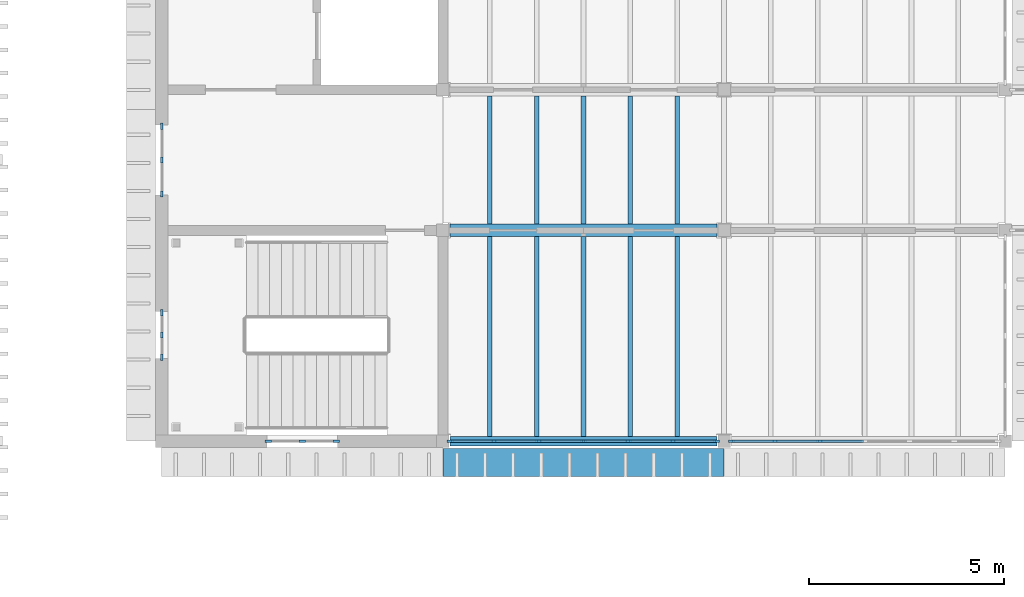
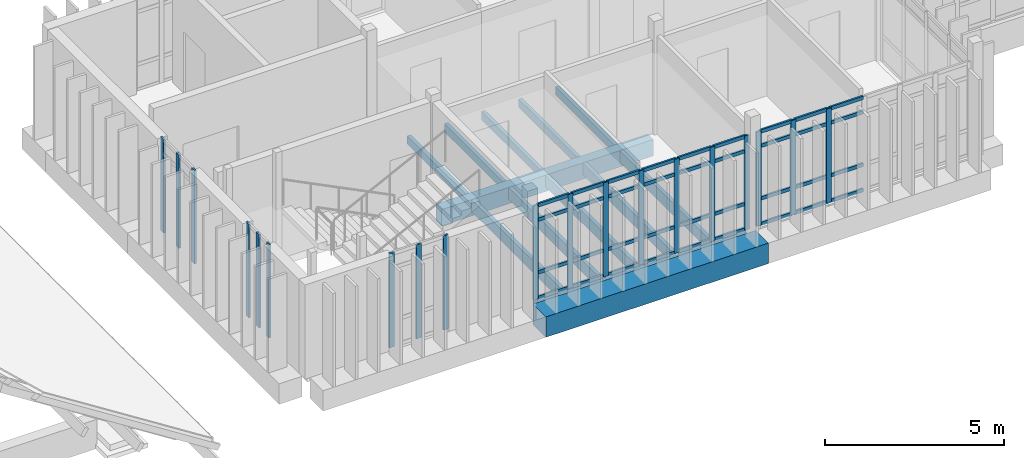
# One storey, part 10 of 71: 56 members, 12 beams, 5 elements without a shape of their own.
"""IFC4 building model written with IfcOpenShell, lengths in metres."""

from ifc_helpers import new_model, si_unit, direction, frame, origin, origin_2d, place, context, subcontext, project, spatial, rectangle, extrude, material, layer, layer_set, material_profile, profile_set, type_object, element, aggregate, save


model = new_model("IFC4")

# Units and contexts
model_context = context("Model", 3, precision=1e-05, world=origin(), true_north=direction((0.0, 1.0)))
body_context = subcontext(model_context, "Body", "Model", "MODEL_VIEW")
ifc_project = project(units=[si_unit("LENGTHUNIT", "METRE"), si_unit("AREAUNIT", "SQUARE_METRE"), si_unit("VOLUMEUNIT", "CUBIC_METRE"), si_unit("PLANEANGLEUNIT", "RADIAN"), si_unit("MASSUNIT", "GRAM", prefix="KILO")], contexts=[model_context])

# Site, building, storey
site_placement = place(None, origin())
site = spatial("IfcSite", under=ifc_project, at=site_placement, CompositionType="ELEMENT")
building_placement = place(site_placement, origin())
building = spatial("IfcBuilding", under=site, at=building_placement, Name="Mazhai Court Health Centre", CompositionType="ELEMENT")
storey_placement = place(building_placement, frame((0.0, 0.0, 10.199951171875)))
storey = spatial("IfcBuildingStorey", under=building, at=storey_placement, Name="L02", CompositionType="ELEMENT", Elevation=10.199951171875)

# Curtain wall, members
ifc_material_1 = material(Name="Teak timber frame, glazed", Category="wood")
ifc_layer_1 = layer(ifc_material_1, 0.10009765625)
ifc_layer_set_1 = layer_set([ifc_layer_1], Name="CURTAIN WALL TIMBER 900")
curtain_wall_type_1 = type_object("IfcCurtainWallType", Name="CURTAIN WALL TIMBER 900", PredefinedType="NOTDEFINED", material=ifc_layer_set_1)
curtain_wall_1_placement = place(storey_placement, origin())
curtain_wall_1 = element("IfcCurtainWall", 1, at=curtain_wall_1_placement, inside=storey, type_object=curtain_wall_type_1, Name="CW-V4-L02-A0", PredefinedType="NOTDEFINED")
ifc_material_2 = material(Name="Teak timber", Category="wood")
ifc_material_profile_1 = material_profile(ifc_material_2, rectangle(XDim=0.06005859375, YDim=0.159912109375, at=origin_2d()), Name="CW MULLION 60x160")
ifc_profile_set_1 = profile_set([ifc_material_profile_1], Name="Teak timber")
member_type_1 = type_object("IfcMemberType", Name="CW MULLION 60x160", PredefinedType="MULLION", material=ifc_profile_set_1)
member_1_placement = place(storey_placement, frame((75.469970703125, 13.39990234375, 0.0), z_axis=(0.0, 0.0, 1.0), x_axis=(0.0, -1.0, 0.0)))
member_1 = element("IfcMember", 2, at=member_1_placement, type_object=member_type_1, Name="CW mullion 1", PredefinedType="MULLION", context=body_context, shape_type="SweptSolid", body=[
    extrude(rectangle(XDim=0.06005859375, YDim=0.159912109375, at=origin_2d()), origin(), (0.0, 0.0, 1.0), 3.219970703125),
])
member_2_placement = place(storey_placement, frame((74.60009765625, 13.39990234375, 0.0), z_axis=(0.0, 0.0, 1.0), x_axis=(0.0, -1.0, 0.0)))
member_2 = element("IfcMember", 3, at=member_2_placement, type_object=member_type_1, Name="CW mullion 2", PredefinedType="MULLION", context=body_context, shape_type="SweptSolid", body=[
    extrude(rectangle(XDim=0.06005859375, YDim=0.159912109375, at=origin_2d()), origin(), (0.0, 0.0, 1.0), 3.219970703125),
])
member_3_placement = place(storey_placement, frame((73.72998046875, 13.39990234375, 0.0), z_axis=(0.0, 0.0, 1.0), x_axis=(0.0, -1.0, 0.0)))
member_3 = element("IfcMember", 4, at=member_3_placement, type_object=member_type_1, Name="CW mullion 3", PredefinedType="MULLION", context=body_context, shape_type="SweptSolid", body=[
    extrude(rectangle(XDim=0.06005859375, YDim=0.159912109375, at=origin_2d()), origin(), (0.0, 0.0, 1.0), 3.219970703125),
])
aggregate(curtain_wall_1, [member_1, member_2, member_3])

ifc_material_3 = material(Name="Teak timber frame, glazed", Category="wood")
ifc_layer_2 = layer(ifc_material_3, 0.10009765625)
ifc_layer_set_2 = layer_set([ifc_layer_2], Name="CURTAIN WALL TIMBER 600")
curtain_wall_type_2 = type_object("IfcCurtainWallType", Name="CURTAIN WALL TIMBER 600", PredefinedType="NOTDEFINED", material=ifc_layer_set_2)
curtain_wall_2_placement = place(storey_placement, origin())
curtain_wall_2 = element("IfcCurtainWall", 5, at=curtain_wall_2_placement, inside=storey, type_object=curtain_wall_type_2, Name="CW-V4-L02-SSTAIR0", PredefinedType="NOTDEFINED")
member_4_placement = place(storey_placement, frame((71.0, 15.550048828125, 0.0), z_axis=(0.0, 0.0, 1.0), x_axis=(-1.0, 0.0, 0.0)))
member_4 = element("IfcMember", 6, at=member_4_placement, type_object=member_type_1, Name="CW mullion 1", PredefinedType="MULLION", context=body_context, shape_type="SweptSolid", body=[
    extrude(rectangle(XDim=0.06005859375, YDim=0.159912109375, at=origin_2d()), origin(), (0.0, 0.0, 1.0), 3.199951171875),
])
member_5_placement = place(storey_placement, frame((71.0, 16.1201171875, 0.0), z_axis=(0.0, 0.0, 1.0), x_axis=(-1.0, 0.0, 0.0)))
member_5 = element("IfcMember", 7, at=member_5_placement, type_object=member_type_1, Name="CW mullion 2", PredefinedType="MULLION", context=body_context, shape_type="SweptSolid", body=[
    extrude(rectangle(XDim=0.06005859375, YDim=0.159912109375, at=origin_2d()), origin(), (0.0, 0.0, 1.0), 3.199951171875),
])
member_6_placement = place(storey_placement, frame((71.0, 16.68994140625, 0.0), z_axis=(0.0, 0.0, 1.0), x_axis=(-1.0, 0.0, 0.0)))
member_6 = element("IfcMember", 8, at=member_6_placement, type_object=member_type_1, Name="CW mullion 3", PredefinedType="MULLION", context=body_context, shape_type="SweptSolid", body=[
    extrude(rectangle(XDim=0.06005859375, YDim=0.159912109375, at=origin_2d()), origin(), (0.0, 0.0, 1.0), 3.199951171875),
])
aggregate(curtain_wall_2, [member_4, member_5, member_6])

curtain_wall_3_placement = place(storey_placement, origin())
curtain_wall_3 = element("IfcCurtainWall", 9, at=curtain_wall_3_placement, inside=storey, type_object=curtain_wall_type_1, Name="CW-V4-L02-SLIFT1", PredefinedType="NOTDEFINED")
member_7_placement = place(storey_placement, frame((71.0, 19.72998046875, 0.0), z_axis=(0.0, 0.0, 1.0), x_axis=(-1.0, 0.0, 0.0)))
member_7 = element("IfcMember", 10, at=member_7_placement, type_object=member_type_1, Name="CW mullion 1", PredefinedType="MULLION", context=body_context, shape_type="SweptSolid", body=[
    extrude(rectangle(XDim=0.06005859375, YDim=0.159912109375, at=origin_2d()), origin(), (0.0, 0.0, 1.0), 3.199951171875),
])
member_8_placement = place(storey_placement, frame((71.0, 20.60009765625, 0.0), z_axis=(0.0, 0.0, 1.0), x_axis=(-1.0, 0.0, 0.0)))
member_8 = element("IfcMember", 11, at=member_8_placement, type_object=member_type_1, Name="CW mullion 2", PredefinedType="MULLION", context=body_context, shape_type="SweptSolid", body=[
    extrude(rectangle(XDim=0.06005859375, YDim=0.159912109375, at=origin_2d()), origin(), (0.0, 0.0, 1.0), 3.199951171875),
])
member_9_placement = place(storey_placement, frame((71.0, 21.469970703125, 0.0), z_axis=(0.0, 0.0, 1.0), x_axis=(-1.0, 0.0, 0.0)))
member_9 = element("IfcMember", 12, at=member_9_placement, type_object=member_type_1, Name="CW mullion 3", PredefinedType="MULLION", context=body_context, shape_type="SweptSolid", body=[
    extrude(rectangle(XDim=0.06005859375, YDim=0.159912109375, at=origin_2d()), origin(), (0.0, 0.0, 1.0), 3.199951171875),
])
aggregate(curtain_wall_3, [member_7, member_8, member_9])

ifc_material_4 = material(Name="Teak timber frame, glazed", Category="wood")
ifc_layer_3 = layer(ifc_material_4, 0.10009765625)
ifc_layer_set_3 = layer_set([ifc_layer_3], Name="CURTAIN WALL TIMBER 1200")
curtain_wall_type_3 = type_object("IfcCurtainWallType", Name="CURTAIN WALL TIMBER 1200", PredefinedType="NOTDEFINED", material=ifc_layer_set_3)
curtain_wall_4_placement = place(storey_placement, origin())
curtain_wall_4 = element("IfcCurtainWall", 13, at=curtain_wall_4_placement, inside=storey, type_object=curtain_wall_type_3, Name="CW-V4-L02-A1", PredefinedType="NOTDEFINED")
member_10_placement = place(storey_placement, frame((85.2099609375, 13.39990234375, 0.0), z_axis=(0.0, 0.0, 1.0), x_axis=(0.0, -1.0, 0.0)))
member_10 = element("IfcMember", 14, at=member_10_placement, type_object=member_type_1, Name="CW mullion 1", PredefinedType="MULLION", context=body_context, shape_type="SweptSolid", body=[
    extrude(rectangle(XDim=0.06005859375, YDim=0.159912109375, at=origin_2d()), origin(), (0.0, 0.0, 1.0), 3.219970703125),
])
member_11_placement = place(storey_placement, frame((84.09326171875, 13.39990234375, 0.0), z_axis=(0.0, 0.0, 1.0), x_axis=(0.0, -1.0, 0.0)))
member_11 = element("IfcMember", 15, at=member_11_placement, type_object=member_type_1, Name="CW mullion 2", PredefinedType="MULLION", context=body_context, shape_type="SweptSolid", body=[
    extrude(rectangle(XDim=0.06005859375, YDim=0.159912109375, at=origin_2d()), origin(), (0.0, 0.0, 1.0), 3.219970703125),
])
member_12_placement = place(storey_placement, frame((82.94677734375, 13.39990234375, 0.0), z_axis=(0.0, 0.0, 1.0), x_axis=(0.0, -1.0, 0.0)))
member_12 = element("IfcMember", 16, at=member_12_placement, type_object=member_type_1, Name="CW mullion 3", PredefinedType="MULLION", context=body_context, shape_type="SweptSolid", body=[
    extrude(rectangle(XDim=0.06005859375, YDim=0.159912109375, at=origin_2d()), origin(), (0.0, 0.0, 1.0), 3.219970703125),
])
member_13_placement = place(storey_placement, frame((81.800048828125, 13.39990234375, 0.0), z_axis=(0.0, 0.0, 1.0), x_axis=(0.0, -1.0, 0.0)))
member_13 = element("IfcMember", 17, at=member_13_placement, type_object=member_type_1, Name="CW mullion 4", PredefinedType="MULLION", context=body_context, shape_type="SweptSolid", body=[
    extrude(rectangle(XDim=0.06005859375, YDim=0.159912109375, at=origin_2d()), origin(), (0.0, 0.0, 1.0), 3.219970703125),
])
member_14_placement = place(storey_placement, frame((80.6533203125, 13.39990234375, 0.0), z_axis=(0.0, 0.0, 1.0), x_axis=(0.0, -1.0, 0.0)))
member_14 = element("IfcMember", 18, at=member_14_placement, type_object=member_type_1, Name="CW mullion 5", PredefinedType="MULLION", context=body_context, shape_type="SweptSolid", body=[
    extrude(rectangle(XDim=0.06005859375, YDim=0.159912109375, at=origin_2d()), origin(), (0.0, 0.0, 1.0), 3.219970703125),
])
member_15_placement = place(storey_placement, frame((79.506591796875, 13.39990234375, 0.0), z_axis=(0.0, 0.0, 1.0), x_axis=(0.0, -1.0, 0.0)))
member_15 = element("IfcMember", 19, at=member_15_placement, type_object=member_type_1, Name="CW mullion 6", PredefinedType="MULLION", context=body_context, shape_type="SweptSolid", body=[
    extrude(rectangle(XDim=0.06005859375, YDim=0.159912109375, at=origin_2d()), origin(), (0.0, 0.0, 1.0), 3.219970703125),
])
member_16_placement = place(storey_placement, frame((78.389892578125, 13.39990234375, 0.0), z_axis=(0.0, 0.0, 1.0), x_axis=(0.0, -1.0, 0.0)))
member_16 = element("IfcMember", 20, at=member_16_placement, type_object=member_type_1, Name="CW mullion 7", PredefinedType="MULLION", context=body_context, shape_type="SweptSolid", body=[
    extrude(rectangle(XDim=0.06005859375, YDim=0.159912109375, at=origin_2d()), origin(), (0.0, 0.0, 1.0), 3.219970703125),
])

curtain_wall_5_placement = place(storey_placement, origin())
curtain_wall_5 = element("IfcCurtainWall", 21, at=curtain_wall_5_placement, inside=storey, type_object=curtain_wall_type_3, Name="CW-V4-L02-A2", PredefinedType="NOTDEFINED")
member_17_placement = place(storey_placement, frame((87.853271484375, 13.39990234375, 0.0), z_axis=(0.0, 0.0, 1.0), x_axis=(0.0, -1.0, 0.0)))
member_17 = element("IfcMember", 22, at=member_17_placement, type_object=member_type_1, Name="CW mullion 5", PredefinedType="MULLION", context=body_context, shape_type="SweptSolid", body=[
    extrude(rectangle(XDim=0.06005859375, YDim=0.159912109375, at=origin_2d()), origin(), (0.0, 0.0, 1.0), 3.219970703125),
])
member_18_placement = place(storey_placement, frame((86.706787109375, 13.39990234375, 0.0), z_axis=(0.0, 0.0, 1.0), x_axis=(0.0, -1.0, 0.0)))
member_18 = element("IfcMember", 23, at=member_18_placement, type_object=member_type_1, Name="CW mullion 6", PredefinedType="MULLION", context=body_context, shape_type="SweptSolid", body=[
    extrude(rectangle(XDim=0.06005859375, YDim=0.159912109375, at=origin_2d()), origin(), (0.0, 0.0, 1.0), 3.219970703125),
])
member_19_placement = place(storey_placement, frame((85.590087890625, 13.39990234375, 0.0), z_axis=(0.0, 0.0, 1.0), x_axis=(0.0, -1.0, 0.0)))
member_19 = element("IfcMember", 24, at=member_19_placement, type_object=member_type_1, Name="CW mullion 7", PredefinedType="MULLION", context=body_context, shape_type="SweptSolid", body=[
    extrude(rectangle(XDim=0.06005859375, YDim=0.159912109375, at=origin_2d()), origin(), (0.0, 0.0, 1.0), 3.219970703125),
])

# Member
ifc_material_5 = material(Name="Teak timber", Category="wood")
ifc_material_profile_2 = material_profile(ifc_material_5, rectangle(XDim=0.06005859375, YDim=0.1201171875, at=origin_2d()), Name="CW TRANSOM 60x120")
ifc_profile_set_2 = profile_set([ifc_material_profile_2], Name="Teak timber")
member_type_2 = type_object("IfcMemberType", Name="CW TRANSOM 60x120", PredefinedType="USERDEFINED", material=ifc_profile_set_2)
member_20_placement = place(storey_placement, frame((85.179931640625, 13.39990234375, 0.030029296875), z_axis=(-1.0, 0.0, 0.0), x_axis=(0.0, -1.0, 0.0)))
member_20 = element("IfcMember", 25, at=member_20_placement, type_object=member_type_2, Name="CW transom 1.1", ObjectType="TRANSOM", PredefinedType="USERDEFINED", context=body_context, shape_type="SweptSolid", body=[
    extrude(rectangle(XDim=0.06005859375, YDim=0.1201171875, at=origin_2d()), origin(), (0.0, 0.0, 1.0), 1.056640625),
])

member_21_placement = place(storey_placement, frame((85.179931640625, 13.39990234375, 0.900146484375), z_axis=(-1.0, 0.0, 0.0), x_axis=(0.0, -1.0, 0.0)))
member_21 = element("IfcMember", 26, at=member_21_placement, type_object=member_type_2, Name="CW transom 1.2", ObjectType="TRANSOM", PredefinedType="USERDEFINED", context=body_context, shape_type="SweptSolid", body=[
    extrude(rectangle(XDim=0.06005859375, YDim=0.1201171875, at=origin_2d()), origin(), (0.0, 0.0, 1.0), 1.056640625),
])

member_22_placement = place(storey_placement, frame((85.179931640625, 13.39990234375, 2.699951171875), z_axis=(-1.0, 0.0, 0.0), x_axis=(0.0, -1.0, 0.0)))
member_22 = element("IfcMember", 27, at=member_22_placement, type_object=member_type_2, Name="CW transom 1.3", ObjectType="TRANSOM", PredefinedType="USERDEFINED", context=body_context, shape_type="SweptSolid", body=[
    extrude(rectangle(XDim=0.06005859375, YDim=0.1201171875, at=origin_2d()), origin(), (0.0, 0.0, 1.0), 1.056640625),
])

member_23_placement = place(storey_placement, frame((85.179931640625, 13.39990234375, 3.18994140625), z_axis=(-1.0, 0.0, 0.0), x_axis=(0.0, -1.0, 0.0)))
member_23 = element("IfcMember", 28, at=member_23_placement, type_object=member_type_2, Name="CW transom 1.4", ObjectType="TRANSOM", PredefinedType="USERDEFINED", context=body_context, shape_type="SweptSolid", body=[
    extrude(rectangle(XDim=0.06005859375, YDim=0.1201171875, at=origin_2d()), origin(), (0.0, 0.0, 1.0), 1.056640625),
])

member_24_placement = place(storey_placement, frame((84.063232421875, 13.39990234375, 0.030029296875), z_axis=(-1.0, 0.0, 0.0), x_axis=(0.0, -1.0, 0.0)))
member_24 = element("IfcMember", 29, at=member_24_placement, type_object=member_type_2, Name="CW transom 2.1", ObjectType="TRANSOM", PredefinedType="USERDEFINED", context=body_context, shape_type="SweptSolid", body=[
    extrude(rectangle(XDim=0.06005859375, YDim=0.1201171875, at=origin_2d()), origin(), (0.0, 0.0, 1.0), 1.086669921875),
])

member_25_placement = place(storey_placement, frame((84.063232421875, 13.39990234375, 0.900146484375), z_axis=(-1.0, 0.0, 0.0), x_axis=(0.0, -1.0, 0.0)))
member_25 = element("IfcMember", 30, at=member_25_placement, type_object=member_type_2, Name="CW transom 2.2", ObjectType="TRANSOM", PredefinedType="USERDEFINED", context=body_context, shape_type="SweptSolid", body=[
    extrude(rectangle(XDim=0.06005859375, YDim=0.1201171875, at=origin_2d()), origin(), (0.0, 0.0, 1.0), 1.086669921875),
])

member_26_placement = place(storey_placement, frame((84.063232421875, 13.39990234375, 2.699951171875), z_axis=(-1.0, 0.0, 0.0), x_axis=(0.0, -1.0, 0.0)))
member_26 = element("IfcMember", 31, at=member_26_placement, type_object=member_type_2, Name="CW transom 2.3", ObjectType="TRANSOM", PredefinedType="USERDEFINED", context=body_context, shape_type="SweptSolid", body=[
    extrude(rectangle(XDim=0.06005859375, YDim=0.1201171875, at=origin_2d()), origin(), (0.0, 0.0, 1.0), 1.086669921875),
])

member_27_placement = place(storey_placement, frame((84.063232421875, 13.39990234375, 3.18994140625), z_axis=(-1.0, 0.0, 0.0), x_axis=(0.0, -1.0, 0.0)))
member_27 = element("IfcMember", 32, at=member_27_placement, type_object=member_type_2, Name="CW transom 2.4", ObjectType="TRANSOM", PredefinedType="USERDEFINED", context=body_context, shape_type="SweptSolid", body=[
    extrude(rectangle(XDim=0.06005859375, YDim=0.1201171875, at=origin_2d()), origin(), (0.0, 0.0, 1.0), 1.086669921875),
])

member_28_placement = place(storey_placement, frame((82.916748046875, 13.39990234375, 0.030029296875), z_axis=(-1.0, 0.0, 0.0), x_axis=(0.0, -1.0, 0.0)))
member_28 = element("IfcMember", 33, at=member_28_placement, type_object=member_type_2, Name="CW transom 3.1", ObjectType="TRANSOM", PredefinedType="USERDEFINED", context=body_context, shape_type="SweptSolid", body=[
    extrude(rectangle(XDim=0.06005859375, YDim=0.1201171875, at=origin_2d()), origin(), (0.0, 0.0, 1.0), 1.086669921875),
])

member_29_placement = place(storey_placement, frame((82.916748046875, 13.39990234375, 0.900146484375), z_axis=(-1.0, 0.0, 0.0), x_axis=(0.0, -1.0, 0.0)))
member_29 = element("IfcMember", 34, at=member_29_placement, type_object=member_type_2, Name="CW transom 3.2", ObjectType="TRANSOM", PredefinedType="USERDEFINED", context=body_context, shape_type="SweptSolid", body=[
    extrude(rectangle(XDim=0.06005859375, YDim=0.1201171875, at=origin_2d()), origin(), (0.0, 0.0, 1.0), 1.086669921875),
])

member_30_placement = place(storey_placement, frame((82.916748046875, 13.39990234375, 2.699951171875), z_axis=(-1.0, 0.0, 0.0), x_axis=(0.0, -1.0, 0.0)))
member_30 = element("IfcMember", 35, at=member_30_placement, type_object=member_type_2, Name="CW transom 3.3", ObjectType="TRANSOM", PredefinedType="USERDEFINED", context=body_context, shape_type="SweptSolid", body=[
    extrude(rectangle(XDim=0.06005859375, YDim=0.1201171875, at=origin_2d()), origin(), (0.0, 0.0, 1.0), 1.086669921875),
])

member_31_placement = place(storey_placement, frame((82.916748046875, 13.39990234375, 3.18994140625), z_axis=(-1.0, 0.0, 0.0), x_axis=(0.0, -1.0, 0.0)))
member_31 = element("IfcMember", 36, at=member_31_placement, type_object=member_type_2, Name="CW transom 3.4", ObjectType="TRANSOM", PredefinedType="USERDEFINED", context=body_context, shape_type="SweptSolid", body=[
    extrude(rectangle(XDim=0.06005859375, YDim=0.1201171875, at=origin_2d()), origin(), (0.0, 0.0, 1.0), 1.086669921875),
])

member_32_placement = place(storey_placement, frame((81.77001953125, 13.39990234375, 0.030029296875), z_axis=(-1.0, 0.0, 0.0), x_axis=(0.0, -1.0, 0.0)))
member_32 = element("IfcMember", 37, at=member_32_placement, type_object=member_type_2, Name="CW transom 4.1", ObjectType="TRANSOM", PredefinedType="USERDEFINED", context=body_context, shape_type="SweptSolid", body=[
    extrude(rectangle(XDim=0.06005859375, YDim=0.1201171875, at=origin_2d()), origin(), (0.0, 0.0, 1.0), 1.086669921875),
])

member_33_placement = place(storey_placement, frame((81.77001953125, 13.39990234375, 0.900146484375), z_axis=(-1.0, 0.0, 0.0), x_axis=(0.0, -1.0, 0.0)))
member_33 = element("IfcMember", 38, at=member_33_placement, type_object=member_type_2, Name="CW transom 4.2", ObjectType="TRANSOM", PredefinedType="USERDEFINED", context=body_context, shape_type="SweptSolid", body=[
    extrude(rectangle(XDim=0.06005859375, YDim=0.1201171875, at=origin_2d()), origin(), (0.0, 0.0, 1.0), 1.086669921875),
])

member_34_placement = place(storey_placement, frame((81.77001953125, 13.39990234375, 2.699951171875), z_axis=(-1.0, 0.0, 0.0), x_axis=(0.0, -1.0, 0.0)))
member_34 = element("IfcMember", 39, at=member_34_placement, type_object=member_type_2, Name="CW transom 4.3", ObjectType="TRANSOM", PredefinedType="USERDEFINED", context=body_context, shape_type="SweptSolid", body=[
    extrude(rectangle(XDim=0.06005859375, YDim=0.1201171875, at=origin_2d()), origin(), (0.0, 0.0, 1.0), 1.086669921875),
])

member_35_placement = place(storey_placement, frame((81.77001953125, 13.39990234375, 3.18994140625), z_axis=(-1.0, 0.0, 0.0), x_axis=(0.0, -1.0, 0.0)))
member_35 = element("IfcMember", 40, at=member_35_placement, type_object=member_type_2, Name="CW transom 4.4", ObjectType="TRANSOM", PredefinedType="USERDEFINED", context=body_context, shape_type="SweptSolid", body=[
    extrude(rectangle(XDim=0.06005859375, YDim=0.1201171875, at=origin_2d()), origin(), (0.0, 0.0, 1.0), 1.086669921875),
])

member_36_placement = place(storey_placement, frame((80.623291015625, 13.39990234375, 0.030029296875), z_axis=(-1.0, 0.0, 0.0), x_axis=(0.0, -1.0, 0.0)))
member_36 = element("IfcMember", 41, at=member_36_placement, type_object=member_type_2, Name="CW transom 5.1", ObjectType="TRANSOM", PredefinedType="USERDEFINED", context=body_context, shape_type="SweptSolid", body=[
    extrude(rectangle(XDim=0.06005859375, YDim=0.1201171875, at=origin_2d()), origin(), (0.0, 0.0, 1.0), 1.086669921875),
])

member_37_placement = place(storey_placement, frame((80.623291015625, 13.39990234375, 0.900146484375), z_axis=(-1.0, 0.0, 0.0), x_axis=(0.0, -1.0, 0.0)))
member_37 = element("IfcMember", 42, at=member_37_placement, type_object=member_type_2, Name="CW transom 5.2", ObjectType="TRANSOM", PredefinedType="USERDEFINED", context=body_context, shape_type="SweptSolid", body=[
    extrude(rectangle(XDim=0.06005859375, YDim=0.1201171875, at=origin_2d()), origin(), (0.0, 0.0, 1.0), 1.086669921875),
])

member_38_placement = place(storey_placement, frame((80.623291015625, 13.39990234375, 2.699951171875), z_axis=(-1.0, 0.0, 0.0), x_axis=(0.0, -1.0, 0.0)))
member_38 = element("IfcMember", 43, at=member_38_placement, type_object=member_type_2, Name="CW transom 5.3", ObjectType="TRANSOM", PredefinedType="USERDEFINED", context=body_context, shape_type="SweptSolid", body=[
    extrude(rectangle(XDim=0.06005859375, YDim=0.1201171875, at=origin_2d()), origin(), (0.0, 0.0, 1.0), 1.086669921875),
])

member_39_placement = place(storey_placement, frame((80.623291015625, 13.39990234375, 3.18994140625), z_axis=(-1.0, 0.0, 0.0), x_axis=(0.0, -1.0, 0.0)))
member_39 = element("IfcMember", 44, at=member_39_placement, type_object=member_type_2, Name="CW transom 5.4", ObjectType="TRANSOM", PredefinedType="USERDEFINED", context=body_context, shape_type="SweptSolid", body=[
    extrude(rectangle(XDim=0.06005859375, YDim=0.1201171875, at=origin_2d()), origin(), (0.0, 0.0, 1.0), 1.086669921875),
])

member_40_placement = place(storey_placement, frame((79.4765625, 13.39990234375, 0.030029296875), z_axis=(-1.0, 0.0, 0.0), x_axis=(0.0, -1.0, 0.0)))
member_40 = element("IfcMember", 45, at=member_40_placement, type_object=member_type_2, Name="CW transom 6.1", ObjectType="TRANSOM", PredefinedType="USERDEFINED", context=body_context, shape_type="SweptSolid", body=[
    extrude(rectangle(XDim=0.06005859375, YDim=0.1201171875, at=origin_2d()), origin(), (0.0, 0.0, 1.0), 1.056640625),
])

member_41_placement = place(storey_placement, frame((79.4765625, 13.39990234375, 0.900146484375), z_axis=(-1.0, 0.0, 0.0), x_axis=(0.0, -1.0, 0.0)))
member_41 = element("IfcMember", 46, at=member_41_placement, type_object=member_type_2, Name="CW transom 6.2", ObjectType="TRANSOM", PredefinedType="USERDEFINED", context=body_context, shape_type="SweptSolid", body=[
    extrude(rectangle(XDim=0.06005859375, YDim=0.1201171875, at=origin_2d()), origin(), (0.0, 0.0, 1.0), 1.056640625),
])

member_42_placement = place(storey_placement, frame((79.4765625, 13.39990234375, 2.699951171875), z_axis=(-1.0, 0.0, 0.0), x_axis=(0.0, -1.0, 0.0)))
member_42 = element("IfcMember", 47, at=member_42_placement, type_object=member_type_2, Name="CW transom 6.3", ObjectType="TRANSOM", PredefinedType="USERDEFINED", context=body_context, shape_type="SweptSolid", body=[
    extrude(rectangle(XDim=0.06005859375, YDim=0.1201171875, at=origin_2d()), origin(), (0.0, 0.0, 1.0), 1.056640625),
])

member_43_placement = place(storey_placement, frame((79.4765625, 13.39990234375, 3.18994140625), z_axis=(-1.0, 0.0, 0.0), x_axis=(0.0, -1.0, 0.0)))
member_43 = element("IfcMember", 48, at=member_43_placement, type_object=member_type_2, Name="CW transom 6.4", ObjectType="TRANSOM", PredefinedType="USERDEFINED", context=body_context, shape_type="SweptSolid", body=[
    extrude(rectangle(XDim=0.06005859375, YDim=0.1201171875, at=origin_2d()), origin(), (0.0, 0.0, 1.0), 1.056640625),
])

aggregate(curtain_wall_4, [member_10, member_11, member_12, member_13, member_14, member_15, member_16, member_20, member_21, member_22, member_23, member_24, member_25, member_26, member_27, member_28, member_29, member_30, member_31, member_32, member_33, member_34, member_35, member_36, member_37, member_38, member_39, member_40, member_41, member_42, member_43])

member_44_placement = place(storey_placement, frame((88.969970703125, 13.39990234375, 0.030029296875), z_axis=(-1.0, 0.0, 0.0), x_axis=(0.0, -1.0, 0.0)))
member_44 = element("IfcMember", 49, at=member_44_placement, type_object=member_type_2, Name="CW transom 4.1", ObjectType="TRANSOM", PredefinedType="USERDEFINED", context=body_context, shape_type="SweptSolid", body=[
    extrude(rectangle(XDim=0.06005859375, YDim=0.1201171875, at=origin_2d()), origin(), (0.0, 0.0, 1.0), 1.086669921875),
])

member_45_placement = place(storey_placement, frame((88.969970703125, 13.39990234375, 0.900146484375), z_axis=(-1.0, 0.0, 0.0), x_axis=(0.0, -1.0, 0.0)))
member_45 = element("IfcMember", 50, at=member_45_placement, type_object=member_type_2, Name="CW transom 4.2", ObjectType="TRANSOM", PredefinedType="USERDEFINED", context=body_context, shape_type="SweptSolid", body=[
    extrude(rectangle(XDim=0.06005859375, YDim=0.1201171875, at=origin_2d()), origin(), (0.0, 0.0, 1.0), 1.086669921875),
])

member_46_placement = place(storey_placement, frame((88.969970703125, 13.39990234375, 2.699951171875), z_axis=(-1.0, 0.0, 0.0), x_axis=(0.0, -1.0, 0.0)))
member_46 = element("IfcMember", 51, at=member_46_placement, type_object=member_type_2, Name="CW transom 4.3", ObjectType="TRANSOM", PredefinedType="USERDEFINED", context=body_context, shape_type="SweptSolid", body=[
    extrude(rectangle(XDim=0.06005859375, YDim=0.1201171875, at=origin_2d()), origin(), (0.0, 0.0, 1.0), 1.086669921875),
])

member_47_placement = place(storey_placement, frame((88.969970703125, 13.39990234375, 3.18994140625), z_axis=(-1.0, 0.0, 0.0), x_axis=(0.0, -1.0, 0.0)))
member_47 = element("IfcMember", 52, at=member_47_placement, type_object=member_type_2, Name="CW transom 4.4", ObjectType="TRANSOM", PredefinedType="USERDEFINED", context=body_context, shape_type="SweptSolid", body=[
    extrude(rectangle(XDim=0.06005859375, YDim=0.1201171875, at=origin_2d()), origin(), (0.0, 0.0, 1.0), 1.086669921875),
])

member_48_placement = place(storey_placement, frame((87.8232421875, 13.39990234375, 0.030029296875), z_axis=(-1.0, 0.0, 0.0), x_axis=(0.0, -1.0, 0.0)))
member_48 = element("IfcMember", 53, at=member_48_placement, type_object=member_type_2, Name="CW transom 5.1", ObjectType="TRANSOM", PredefinedType="USERDEFINED", context=body_context, shape_type="SweptSolid", body=[
    extrude(rectangle(XDim=0.06005859375, YDim=0.1201171875, at=origin_2d()), origin(), (0.0, 0.0, 1.0), 1.086669921875),
])

member_49_placement = place(storey_placement, frame((87.8232421875, 13.39990234375, 0.900146484375), z_axis=(-1.0, 0.0, 0.0), x_axis=(0.0, -1.0, 0.0)))
member_49 = element("IfcMember", 54, at=member_49_placement, type_object=member_type_2, Name="CW transom 5.2", ObjectType="TRANSOM", PredefinedType="USERDEFINED", context=body_context, shape_type="SweptSolid", body=[
    extrude(rectangle(XDim=0.06005859375, YDim=0.1201171875, at=origin_2d()), origin(), (0.0, 0.0, 1.0), 1.086669921875),
])

member_50_placement = place(storey_placement, frame((87.8232421875, 13.39990234375, 2.699951171875), z_axis=(-1.0, 0.0, 0.0), x_axis=(0.0, -1.0, 0.0)))
member_50 = element("IfcMember", 55, at=member_50_placement, type_object=member_type_2, Name="CW transom 5.3", ObjectType="TRANSOM", PredefinedType="USERDEFINED", context=body_context, shape_type="SweptSolid", body=[
    extrude(rectangle(XDim=0.06005859375, YDim=0.1201171875, at=origin_2d()), origin(), (0.0, 0.0, 1.0), 1.086669921875),
])

member_51_placement = place(storey_placement, frame((87.8232421875, 13.39990234375, 3.18994140625), z_axis=(-1.0, 0.0, 0.0), x_axis=(0.0, -1.0, 0.0)))
member_51 = element("IfcMember", 56, at=member_51_placement, type_object=member_type_2, Name="CW transom 5.4", ObjectType="TRANSOM", PredefinedType="USERDEFINED", context=body_context, shape_type="SweptSolid", body=[
    extrude(rectangle(XDim=0.06005859375, YDim=0.1201171875, at=origin_2d()), origin(), (0.0, 0.0, 1.0), 1.086669921875),
])

member_52_placement = place(storey_placement, frame((86.6767578125, 13.39990234375, 0.030029296875), z_axis=(-1.0, 0.0, 0.0), x_axis=(0.0, -1.0, 0.0)))
member_52 = element("IfcMember", 57, at=member_52_placement, type_object=member_type_2, Name="CW transom 6.1", ObjectType="TRANSOM", PredefinedType="USERDEFINED", context=body_context, shape_type="SweptSolid", body=[
    extrude(rectangle(XDim=0.06005859375, YDim=0.1201171875, at=origin_2d()), origin(), (0.0, 0.0, 1.0), 1.056640625),
])

member_53_placement = place(storey_placement, frame((86.6767578125, 13.39990234375, 0.900146484375), z_axis=(-1.0, 0.0, 0.0), x_axis=(0.0, -1.0, 0.0)))
member_53 = element("IfcMember", 58, at=member_53_placement, type_object=member_type_2, Name="CW transom 6.2", ObjectType="TRANSOM", PredefinedType="USERDEFINED", context=body_context, shape_type="SweptSolid", body=[
    extrude(rectangle(XDim=0.06005859375, YDim=0.1201171875, at=origin_2d()), origin(), (0.0, 0.0, 1.0), 1.056640625),
])

member_54_placement = place(storey_placement, frame((86.6767578125, 13.39990234375, 2.699951171875), z_axis=(-1.0, 0.0, 0.0), x_axis=(0.0, -1.0, 0.0)))
member_54 = element("IfcMember", 59, at=member_54_placement, type_object=member_type_2, Name="CW transom 6.3", ObjectType="TRANSOM", PredefinedType="USERDEFINED", context=body_context, shape_type="SweptSolid", body=[
    extrude(rectangle(XDim=0.06005859375, YDim=0.1201171875, at=origin_2d()), origin(), (0.0, 0.0, 1.0), 1.056640625),
])

member_55_placement = place(storey_placement, frame((86.6767578125, 13.39990234375, 3.18994140625), z_axis=(-1.0, 0.0, 0.0), x_axis=(0.0, -1.0, 0.0)))
member_55 = element("IfcMember", 60, at=member_55_placement, type_object=member_type_2, Name="CW transom 6.4", ObjectType="TRANSOM", PredefinedType="USERDEFINED", context=body_context, shape_type="SweptSolid", body=[
    extrude(rectangle(XDim=0.06005859375, YDim=0.1201171875, at=origin_2d()), origin(), (0.0, 0.0, 1.0), 1.056640625),
])

aggregate(curtain_wall_5, [member_17, member_18, member_19, member_44, member_45, member_46, member_47, member_48, member_49, member_50, member_51, member_52, member_53, member_54, member_55])

ifc_material_6 = material(Name="Glulam GL24h", Category="wood")
ifc_material_profile_3 = material_profile(ifc_material_6, rectangle(XDim=0.719970703125, YDim=0.699951171875, at=origin_2d()), Name="FIN RAIL 720x700")
ifc_profile_set_3 = profile_set([ifc_material_profile_3], Name="Glulam GL24h")
member_type_3 = type_object("IfcMemberType", Name="FIN RAIL 720x700", PredefinedType="USERDEFINED", material=ifc_profile_set_3)
member_56_placement = place(storey_placement, frame((85.39990234375, 12.860107421875, -0.349853515625), z_axis=(-1.0, 0.0, 0.0), x_axis=(0.0, -1.0, 0.0)))
element("IfcMember", 61, at=member_56_placement, inside=storey, type_object=member_type_3, Name="FR-V4-A1-L02", ObjectType="FIN RAIL", PredefinedType="USERDEFINED", context=body_context, shape_type="SweptSolid", body=[
    extrude(rectangle(XDim=0.719970703125, YDim=0.699951171875, at=origin_2d()), origin(), (0.0, 0.0, 1.0), 7.199951171875),
])

# Beams
ifc_material_7 = material(Name="Glulam GL24h", Category="wood")
ifc_material_profile_4 = material_profile(ifc_material_7, rectangle(XDim=0.1201171875, YDim=0.280029296875, at=origin_2d()), Name="GL24h 120x280")
ifc_profile_set_4 = profile_set([ifc_material_profile_4], Name="Glulam GL24h")
beam_type_1 = type_object("IfcBeamType", Name="GL24h 120x280 joist", PredefinedType="JOIST", material=ifc_profile_set_4)
for number, where, z_axis, x_axis, name in (
    (62, (79.39990234375, 18.9599609375, -0.260009765625), (0.0, 1.0, 0.0), (-1.0, 0.0, 0.0), "joist-V4-L02-1-B1"),
    (63, (80.60009765625, 18.9599609375, -0.260009765625), (0.0, 1.0, 0.0), (-1.0, 0.0, 0.0), "joist-V4-L02-1-B2"),
    (64, (81.800048828125, 18.9599609375, -0.260009765625), (0.0, 1.0, 0.0), (-1.0, 0.0, 0.0), "joist-V4-L02-1-B3"),
    (65, (83.0, 18.9599609375, -0.260009765625), (0.0, 1.0, 0.0), (-1.0, 0.0, 0.0), "joist-V4-L02-1-B4"),
    (66, (84.199951171875, 18.9599609375, -0.260009765625), (0.0, 1.0, 0.0), (-1.0, 0.0, 0.0), "joist-V4-L02-1-B5"),
):
    element("IfcBeam", number, at=place(storey_placement, frame(where, z_axis=z_axis, x_axis=x_axis)), inside=storey, type_object=beam_type_1, Name=name, PredefinedType="JOIST", context=body_context, shape_type="SweptSolid", body=[
        extrude(rectangle(XDim=0.1201171875, YDim=0.280029296875, at=origin_2d()), origin(), (0.0, 0.0, 1.0), 3.280029296875),
    ])
ifc_material_8 = material(Name="Glulam GL24h", Category="wood")
ifc_material_profile_5 = material_profile(ifc_material_8, rectangle(XDim=0.1201171875, YDim=0.39990234375, at=origin_2d()), Name="GL24h 120x400")
ifc_profile_set_5 = profile_set([ifc_material_profile_5], Name="Glulam GL24h")
beam_type_2 = type_object("IfcBeamType", Name="GL24h 120x400 joist", PredefinedType="JOIST", material=ifc_profile_set_5)
for number, where, z_axis, x_axis, name in (
    (67, (79.39990234375, 13.52001953125, -0.320068359375), (0.0, 1.0, 0.0), (-1.0, 0.0, 0.0), "joist-V4-L02-1-A1"),
    (68, (80.60009765625, 13.52001953125, -0.320068359375), (0.0, 1.0, 0.0), (-1.0, 0.0, 0.0), "joist-V4-L02-1-A2"),
    (69, (81.800048828125, 13.52001953125, -0.320068359375), (0.0, 1.0, 0.0), (-1.0, 0.0, 0.0), "joist-V4-L02-1-A3"),
    (70, (83.0, 13.52001953125, -0.320068359375), (0.0, 1.0, 0.0), (-1.0, 0.0, 0.0), "joist-V4-L02-1-A4"),
    (71, (84.199951171875, 13.52001953125, -0.320068359375), (0.0, 1.0, 0.0), (-1.0, 0.0, 0.0), "joist-V4-L02-1-A5"),
):
    element("IfcBeam", number, at=place(storey_placement, frame(where, z_axis=z_axis, x_axis=x_axis)), inside=storey, type_object=beam_type_2, Name=name, PredefinedType="JOIST", context=body_context, shape_type="SweptSolid", body=[
        extrude(rectangle(XDim=0.1201171875, YDim=0.39990234375, at=origin_2d()), origin(), (0.0, 0.0, 1.0), 5.119873046875),
    ])
ifc_material_9 = material(Name="Glulam GL28h", Category="wood")
ifc_material_profile_6 = material_profile(ifc_material_9, rectangle(XDim=0.239990234375, YDim=0.56005859375, at=origin_2d()), Name="GL28h 240x560")
ifc_profile_set_6 = profile_set([ifc_material_profile_6], Name="Glulam GL28h")
beam_type_3 = type_object("IfcBeamType", Name="GL28h 240x560 beam", PredefinedType="BEAM", material=ifc_profile_set_6)
beam_1_placement = place(storey_placement, frame((78.3798828125, 13.39990234375, -0.39990234375), z_axis=(1.0, 0.0, 0.0), x_axis=(0.0, 1.0, 0.0)))
element("IfcBeam", 72, at=beam_1_placement, inside=storey, type_object=beam_type_3, Name="beam-V4-L02-1-A", PredefinedType="BEAM", context=body_context, shape_type="SweptSolid", body=[
    extrude(rectangle(XDim=0.239990234375, YDim=0.56005859375, at=origin_2d()), origin(), (0.0, 0.0, 1.0), 6.840087890625),
])
ifc_material_10 = material(Name="Glulam GL28h", Category="wood")
ifc_material_profile_7 = material_profile(ifc_material_10, rectangle(XDim=0.320068359375, YDim=0.56005859375, at=origin_2d()), Name="GL28h 320x560")
ifc_profile_set_7 = profile_set([ifc_material_profile_7], Name="Glulam GL28h")
beam_type_4 = type_object("IfcBeamType", Name="GL28h 320x560 beam", PredefinedType="BEAM", material=ifc_profile_set_7)
beam_2_placement = place(storey_placement, frame((78.3798828125, 18.800048828125, -0.39990234375), z_axis=(1.0, 0.0, 0.0), x_axis=(0.0, 1.0, 0.0)))
element("IfcBeam", 73, at=beam_2_placement, inside=storey, type_object=beam_type_4, Name="beam-V4-L02-1-B", PredefinedType="BEAM", context=body_context, shape_type="SweptSolid", body=[
    extrude(rectangle(XDim=0.320068359375, YDim=0.56005859375, at=origin_2d()), origin(), (0.0, 0.0, 1.0), 6.840087890625),
])

save(model, "model.ifc")
